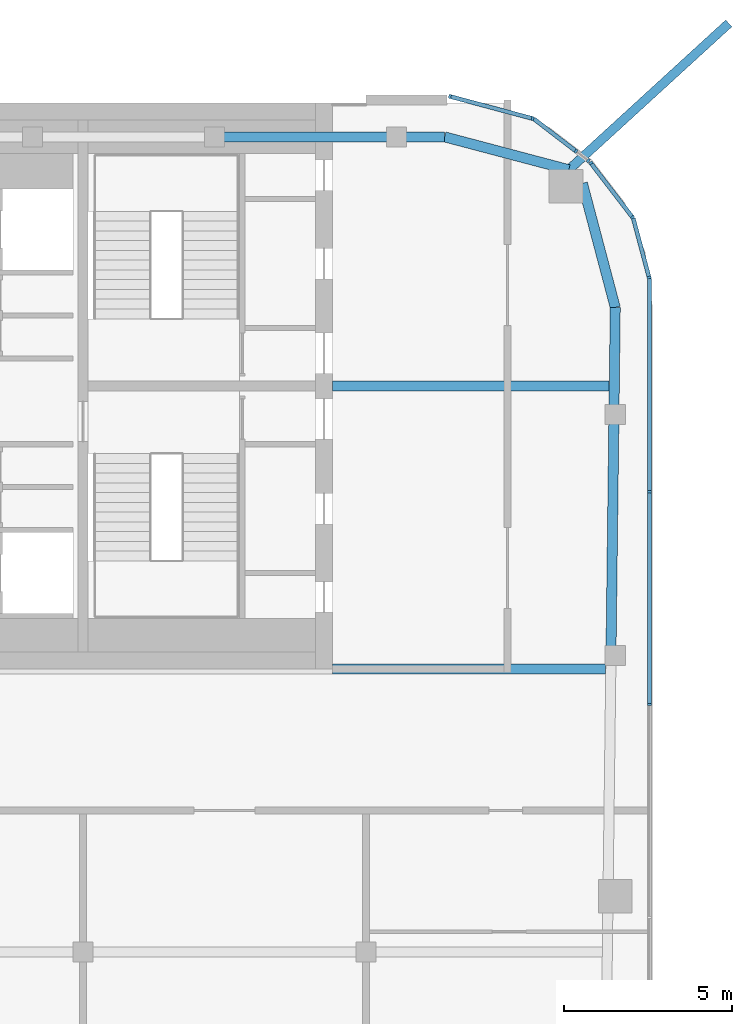
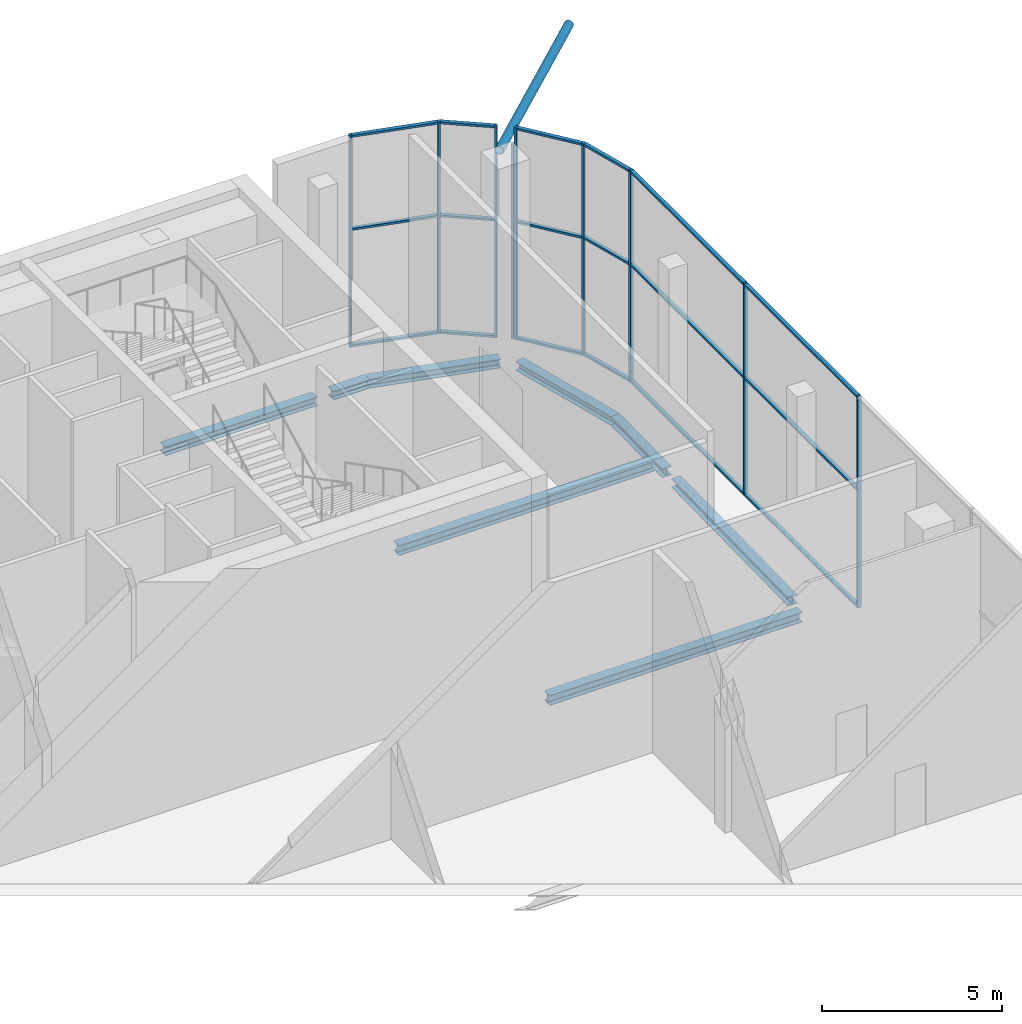
# One storey, part 11 of 23: 28 members, 8 beams, 6 elements without a shape of their own.
"""IFC4 building model written with IfcOpenShell, lengths in metres."""

from ifc_helpers import new_model, si_unit, direction, frame, origin, origin_2d, place, context, subcontext, project, spatial, rectangle, hollow_circle, i_section, extrude, material, layer, layer_set, material_profile, profile_set, type_object, element, aggregate, save


model = new_model("IFC4")

# Units and contexts
model_context = context("Model", 3, precision=1e-05, world=origin(), true_north=direction((0.0, 1.0)))
body_context = subcontext(model_context, "Body", "Model", "MODEL_VIEW")
ifc_project = project(units=[si_unit("LENGTHUNIT", "METRE"), si_unit("AREAUNIT", "SQUARE_METRE"), si_unit("VOLUMEUNIT", "CUBIC_METRE"), si_unit("PLANEANGLEUNIT", "RADIAN"), si_unit("MASSUNIT", "GRAM", prefix="KILO")], contexts=[model_context])

# Site, building, storey
site_placement = place(None, origin())
site = spatial("IfcSite", under=ifc_project, at=site_placement, CompositionType="ELEMENT")
building_placement = place(site_placement, origin())
building = spatial("IfcBuilding", under=site, at=building_placement, Name="Marenta Gate Hotel Tower", CompositionType="ELEMENT")
storey_placement = place(building_placement, frame((0.0, 0.0, 288.5)))
storey = spatial("IfcBuildingStorey", under=building, at=storey_placement, Name="L66", CompositionType="ELEMENT", Elevation=288.5)

# Beams
ifc_material_1 = material(Name="Steel S355", Category="steel")
ifc_material_profile_1 = material_profile(ifc_material_1, i_section(OverallWidth=0.300048828125, OverallDepth=0.300048828125, WebThickness=0.010986328125, FlangeThickness=0.01904296875, FilletRadius=0.027099609375, at=origin_2d()), Name="HEB 300")
ifc_profile_set_1 = profile_set([ifc_material_profile_1], Name="Steel S355")
beam_type_1 = type_object("IfcBeamType", Name="Edge beam HEB 300", PredefinedType="SPANDREL", material=ifc_profile_set_1)
beam_1_placement = place(storey_placement, frame((8.364013671875, 15.800048828125, -0.409912109375), z_axis=(1.0, 0.0, 0.0), x_axis=(0.0, 1.0, 0.0)))
element("IfcBeam", 1, at=beam_1_placement, inside=storey, type_object=beam_type_1, Name="L66-EB-18", PredefinedType="SPANDREL", context=body_context, shape_type="SweptSolid", body=[
    extrude(i_section(OverallWidth=0.300048828125, OverallDepth=0.300048828125, WebThickness=0.010986328125, FlangeThickness=0.01904296875, FilletRadius=0.027099609375, at=origin_2d()), origin(), (0.0, 0.0, 1.0), 4.8828125),
])
beam_2_placement = place(storey_placement, frame((13.766845703125, 15.800048828125, -0.409912109375), z_axis=(1.0, 0.0, 0.0), x_axis=(0.0, 1.0, 0.0)))
element("IfcBeam", 2, at=beam_2_placement, inside=storey, type_object=beam_type_1, Name="L66-EB-19", PredefinedType="SPANDREL", context=body_context, shape_type="SweptSolid", body=[
    extrude(i_section(OverallWidth=0.300048828125, OverallDepth=0.300048828125, WebThickness=0.010986328125, FlangeThickness=0.01904296875, FilletRadius=0.027099609375, at=origin_2d()), origin(), (0.0, 0.0, 1.0), 1.167724609375),
])
beam_3_placement = place(storey_placement, frame((14.9345703125, 15.800048828125, -0.409912109375), z_axis=(0.966756923821, -0.25569718466, 0.0), x_axis=(0.25569718466, 0.966756923821, 0.0)))
element("IfcBeam", 3, at=beam_3_placement, inside=storey, type_object=beam_type_1, Name="L66-EB-20", PredefinedType="SPANDREL", context=body_context, shape_type="SweptSolid", body=[
    extrude(i_section(OverallWidth=0.300048828125, OverallDepth=0.300048828125, WebThickness=0.010986328125, FlangeThickness=0.01904296875, FilletRadius=0.027099609375, at=origin_2d()), origin(), (0.0, 0.0, 1.0), 3.8125),
])
beam_4_placement = place(storey_placement, frame((19.025390625, 14.42041015625, -0.409912109375), z_axis=(0.25562150813, -0.96677693631, 0.0), x_axis=(0.96677693631, 0.25562150813, 0.0)))
element("IfcBeam", 4, at=beam_4_placement, inside=storey, type_object=beam_type_1, Name="L66-EB-21", PredefinedType="SPANDREL", context=body_context, shape_type="SweptSolid", body=[
    extrude(i_section(OverallWidth=0.300048828125, OverallDepth=0.300048828125, WebThickness=0.010986328125, FlangeThickness=0.01904296875, FilletRadius=0.027099609375, at=origin_2d()), origin(), (0.0, 0.0, 1.0), 3.812744140625),
])
beam_5_placement = place(storey_placement, frame((20.0, 10.734375, -0.409912109375), z_axis=(-0.012381915536, -0.999923341146, 0.0), x_axis=(0.999923341146, -0.012381915536, 0.0)))
element("IfcBeam", 5, at=beam_5_placement, inside=storey, type_object=beam_type_1, Name="L66-EB-22", PredefinedType="SPANDREL", context=body_context, shape_type="SweptSolid", body=[
    extrude(i_section(OverallWidth=0.300048828125, OverallDepth=0.300048828125, WebThickness=0.010986328125, FlangeThickness=0.01904296875, FilletRadius=0.027099609375, at=origin_2d()), origin(), (0.0, 0.0, 1.0), 2.918212890625),
])
beam_6_placement = place(storey_placement, frame((19.95751953125, 7.29638671875, -0.409912109375), z_axis=(-0.012328838388, -0.999923996984, 0.0), x_axis=(0.999923996984, -0.012328838388, 0.0)))
element("IfcBeam", 6, at=beam_6_placement, inside=storey, type_object=beam_type_1, Name="L66-EB-23", PredefinedType="SPANDREL", context=body_context, shape_type="SweptSolid", body=[
    extrude(i_section(OverallWidth=0.300048828125, OverallDepth=0.300048828125, WebThickness=0.010986328125, FlangeThickness=0.01904296875, FilletRadius=0.027099609375, at=origin_2d()), origin(), (0.0, 0.0, 1.0), 6.6337890625),
])

# Member
ifc_material_2 = material(Name="Steel S355J2W", Category="steel")
ifc_material_profile_2 = material_profile(ifc_material_2, hollow_circle(Radius=0.136474609375, WallThickness=0.012451171875, at=origin_2d()), Name="CHS 273x12.5")
ifc_profile_set_2 = profile_set([ifc_material_profile_2], Name="Steel S355J2W")
member_type_1 = type_object("IfcMemberType", Name="Floor tie CHS 273x12.5", PredefinedType="STRUT", material=ifc_profile_set_2)
member_1_placement = place(storey_placement, frame((23.3701171875, 19.169921875, 6.739990234375), z_axis=(-0.73786132876, -0.674952338703, 0.0), x_axis=(0.674952338703, -0.73786132876, 0.0)))
element("IfcMember", 7, at=member_1_placement, inside=storey, type_object=member_type_1, Name="L66-DR-1", PredefinedType="STRUT", context=body_context, shape_type="SweptSolid", body=[
    extrude(hollow_circle(Radius=0.136474609375, WallThickness=0.012451171875, at=origin_2d()), origin(), (0.0, 0.0, 1.0), 6.4306640625),
])

# Beams
ifc_material_3 = material(Name="Steel S355", Category="steel")
ifc_material_profile_3 = material_profile(ifc_material_3, i_section(OverallWidth=0.300048828125, OverallDepth=0.340087890625, WebThickness=0.011962890625, FlangeThickness=0.021484375, FilletRadius=0.027099609375, at=origin_2d()), Name="HEB 340")
ifc_profile_set_3 = profile_set([ifc_material_profile_3], Name="Steel S355")
beam_type_2 = type_object("IfcBeamType", Name="Girder HEB 340", PredefinedType="BEAM", material=ifc_profile_set_3)
beam_7_placement = place(storey_placement, frame((11.60009765625, 0.0, -0.429931640625), z_axis=(1.0, 0.0, 0.0), x_axis=(0.0, 1.0, 0.0)))
element("IfcBeam", 8, at=beam_7_placement, inside=storey, type_object=beam_type_2, Name="L66-GD-18", PredefinedType="BEAM", context=body_context, shape_type="SweptSolid", body=[
    extrude(i_section(OverallWidth=0.300048828125, OverallDepth=0.340087890625, WebThickness=0.011962890625, FlangeThickness=0.021484375, FilletRadius=0.027099609375, at=origin_2d()), origin(), (0.0, 0.0, 1.0), 8.117431640625),
])
beam_8_placement = place(storey_placement, frame((11.60009765625, 8.39990234375, -0.429931640625), z_axis=(1.0, 0.0, 0.0), x_axis=(0.0, 1.0, 0.0)))
element("IfcBeam", 9, at=beam_8_placement, inside=storey, type_object=beam_type_2, Name="L66-GD-20", PredefinedType="BEAM", context=body_context, shape_type="SweptSolid", body=[
    extrude(i_section(OverallWidth=0.300048828125, OverallDepth=0.340087890625, WebThickness=0.011962890625, FlangeThickness=0.021484375, FilletRadius=0.027099609375, at=origin_2d()), origin(), (0.0, 0.0, 1.0), 8.22119140625),
])

# Curtain wall, members
ifc_material_4 = material(Name="Tinted insulated glass in bronze anodised frame", Category="glass")
ifc_layer = layer(ifc_material_4, 0.1201171875)
ifc_layer_set = layer_set([ifc_layer], Name="Tinted insulated glass in bronze anodised frame")
curtain_wall_type = type_object("IfcCurtainWallType", Name="Sky restaurant glazing CW4", PredefinedType="NOTDEFINED", material=ifc_layer_set)
curtain_wall_1_placement = place(storey_placement, origin())
curtain_wall_1 = element("IfcCurtainWall", 10, at=curtain_wall_1_placement, inside=storey, type_object=curtain_wall_type, Name="CW4 run G19", PredefinedType="NOTDEFINED")
ifc_material_5 = material(Name="Bronze anodised aluminium", Category="aluminium")
ifc_material_profile_4 = material_profile(ifc_material_5, rectangle(XDim=0.1201171875, YDim=0.070068359375, at=origin_2d()), Name="Mullion CW4 70x120 bronze anodised aluminium")
ifc_profile_set_4 = profile_set([ifc_material_profile_4], Name="Bronze anodised aluminium")
member_type_2 = type_object("IfcMemberType", Name="Mullion CW4 70x120 bronze anodised aluminium", PredefinedType="MULLION", material=ifc_profile_set_4)
member_2_placement = place(storey_placement, frame((21.013916015625, -1.053466796875, 0.0), z_axis=(0.0, 0.0, 1.0), x_axis=(-1.0, 0.0, 0.0)))
member_2 = element("IfcMember", 11, at=member_2_placement, type_object=member_type_2, Name="CW4 mullion 5", PredefinedType="MULLION", context=body_context, shape_type="SweptSolid", body=[
    extrude(rectangle(XDim=0.1201171875, YDim=0.070068359375, at=origin_2d()), origin(), (0.0, 0.0, 1.0), 7.199951171875),
])
member_3_placement = place(storey_placement, frame((21.013916015625, 5.269287109375, 0.0), z_axis=(0.0, 0.0, 1.0), x_axis=(-1.0, 0.0, 0.0)))
member_3 = element("IfcMember", 12, at=member_3_placement, type_object=member_type_2, Name="CW4 mullion 6", PredefinedType="MULLION", context=body_context, shape_type="SweptSolid", body=[
    extrude(rectangle(XDim=0.1201171875, YDim=0.070068359375, at=origin_2d()), origin(), (0.0, 0.0, 1.0), 7.199951171875),
])

# Curtain wall, member
curtain_wall_2_placement = place(storey_placement, origin())
curtain_wall_2 = element("IfcCurtainWall", 13, at=curtain_wall_2_placement, inside=storey, type_object=curtain_wall_type, Name="CW4 run G20", PredefinedType="NOTDEFINED")
member_4_placement = place(storey_placement, frame((21.0048828125, 11.625732421875, 0.0), z_axis=(0.0, 0.0, 1.0), x_axis=(-0.965924453932, -0.258824166754, 0.0)))
member_4 = element("IfcMember", 14, at=member_4_placement, type_object=member_type_2, Name="CW4 mullion 1", PredefinedType="MULLION", context=body_context, shape_type="SweptSolid", body=[
    extrude(rectangle(XDim=0.1201171875, YDim=0.070068359375, at=origin_2d()), origin(), (0.0, 0.0, 1.0), 7.199951171875),
])

# Curtain wall, members
curtain_wall_3_placement = place(storey_placement, origin())
curtain_wall_3 = element("IfcCurtainWall", 15, at=curtain_wall_3_placement, inside=storey, type_object=curtain_wall_type, Name="CW4 run G21", PredefinedType="NOTDEFINED")
member_5_placement = place(storey_placement, frame((20.512939453125, 13.41015625, 0.0), z_axis=(0.0, 0.0, 1.0), x_axis=(-0.793333335233, -0.608787499222, 0.0)))
member_5 = element("IfcMember", 16, at=member_5_placement, type_object=member_type_2, Name="CW4 mullion 1", PredefinedType="MULLION", context=body_context, shape_type="SweptSolid", body=[
    extrude(rectangle(XDim=0.1201171875, YDim=0.070068359375, at=origin_2d()), origin(), (0.0, 0.0, 1.0), 7.199951171875),
])
member_6_placement = place(storey_placement, frame((19.27392578125, 15.02490234375, 0.0), z_axis=(0.0, 0.0, 1.0), x_axis=(-0.793333335233, -0.608787499222, 0.0)))
member_6 = element("IfcMember", 17, at=member_6_placement, type_object=member_type_2, Name="CW4 mullion 2", PredefinedType="MULLION", context=body_context, shape_type="SweptSolid", body=[
    extrude(rectangle(XDim=0.1201171875, YDim=0.070068359375, at=origin_2d()), origin(), (0.0, 0.0, 1.0), 7.199951171875),
])

# Curtain wall, member
curtain_wall_4_placement = place(storey_placement, origin())
curtain_wall_4 = element("IfcCurtainWall", 18, at=curtain_wall_4_placement, inside=storey, type_object=curtain_wall_type, Name="CW4 run G22", PredefinedType="NOTDEFINED")
member_7_placement = place(storey_placement, frame((19.19873046875, 15.093994140625, 0.0), z_axis=(0.0, 0.0, 1.0), x_axis=(-0.608796517278, -0.793326414883, 0.0)))
member_7 = element("IfcMember", 19, at=member_7_placement, type_object=member_type_2, Name="CW4 mullion 1", PredefinedType="MULLION", context=body_context, shape_type="SweptSolid", body=[
    extrude(rectangle(XDim=0.1201171875, YDim=0.070068359375, at=origin_2d()), origin(), (0.0, 0.0, 1.0), 6.6005859375),
])
aggregate(curtain_wall_4, [member_7])

curtain_wall_5_placement = place(storey_placement, origin())
curtain_wall_5 = element("IfcCurtainWall", 20, at=curtain_wall_5_placement, inside=storey, type_object=curtain_wall_type, Name="CW4 run G23", PredefinedType="NOTDEFINED")
member_8_placement = place(storey_placement, frame((18.833740234375, 15.3740234375, 0.0), z_axis=(0.0, 0.0, 1.0), x_axis=(-0.608796089473, -0.793326743179, 0.0)))
member_8 = element("IfcMember", 21, at=member_8_placement, type_object=member_type_2, Name="CW4 mullion 1", PredefinedType="MULLION", context=body_context, shape_type="SweptSolid", body=[
    extrude(rectangle(XDim=0.1201171875, YDim=0.070068359375, at=origin_2d()), origin(), (0.0, 0.0, 1.0), 7.199951171875),
])

# Curtain wall, members
curtain_wall_6_placement = place(storey_placement, origin())
curtain_wall_6 = element("IfcCurtainWall", 22, at=curtain_wall_6_placement, inside=storey, type_object=curtain_wall_type, Name="CW4 run G24", PredefinedType="NOTDEFINED")
member_9_placement = place(storey_placement, frame((17.548583984375, 16.34326171875, 0.0), z_axis=(0.0, 0.0, 1.0), x_axis=(-0.258804895175, -0.96592961764, 0.0)))
member_9 = element("IfcMember", 23, at=member_9_placement, type_object=member_type_2, Name="CW4 mullion 1", PredefinedType="MULLION", context=body_context, shape_type="SweptSolid", body=[
    extrude(rectangle(XDim=0.1201171875, YDim=0.070068359375, at=origin_2d()), origin(), (0.0, 0.0, 1.0), 7.199951171875),
])
member_10_placement = place(storey_placement, frame((15.09033203125, 17.001953125, 0.0), z_axis=(0.0, 0.0, 1.0), x_axis=(-0.258804895175, -0.96592961764, 0.0)))
member_10 = element("IfcMember", 24, at=member_10_placement, type_object=member_type_2, Name="CW4 mullion 2", PredefinedType="MULLION", context=body_context, shape_type="SweptSolid", body=[
    extrude(rectangle(XDim=0.1201171875, YDim=0.070068359375, at=origin_2d()), origin(), (0.0, 0.0, 1.0), 7.199951171875),
])

# Member
ifc_material_6 = material(Name="Bronze anodised aluminium", Category="aluminium")
ifc_material_profile_5 = material_profile(ifc_material_6, rectangle(XDim=0.1201171875, YDim=0.070068359375, at=origin_2d()), Name="Transom CW4 70x120 bronze anodised aluminium")
ifc_profile_set_5 = profile_set([ifc_material_profile_5], Name="Bronze anodised aluminium")
member_type_3 = type_object("IfcMemberType", Name="Transom CW4 70x120 bronze anodised aluminium", PredefinedType="USERDEFINED", material=ifc_profile_set_5)
member_11_placement = place(storey_placement, frame((21.013916015625, -1.018310546875, 0.034912109375), z_axis=(0.0, 1.0, 0.0), x_axis=(-1.0, 0.0, 0.0)))
member_11 = element("IfcMember", 25, at=member_11_placement, type_object=member_type_3, Name="CW4 transom 5.1", ObjectType="TRANSOM", PredefinedType="USERDEFINED", context=body_context, shape_type="SweptSolid", body=[
    extrude(rectangle(XDim=0.1201171875, YDim=0.070068359375, at=origin_2d()), origin(), (0.0, 0.0, 1.0), 6.252685546875),
])

member_12_placement = place(storey_placement, frame((21.013916015625, -1.018310546875, 4.0), z_axis=(0.0, 1.0, 0.0), x_axis=(-1.0, 0.0, 0.0)))
member_12 = element("IfcMember", 26, at=member_12_placement, type_object=member_type_3, Name="CW4 transom 5.2", ObjectType="TRANSOM", PredefinedType="USERDEFINED", context=body_context, shape_type="SweptSolid", body=[
    extrude(rectangle(XDim=0.1201171875, YDim=0.070068359375, at=origin_2d()), origin(), (0.0, 0.0, 1.0), 6.252685546875),
])

member_13_placement = place(storey_placement, frame((21.013916015625, -1.018310546875, 7.1650390625), z_axis=(0.0, 1.0, 0.0), x_axis=(-1.0, 0.0, 0.0)))
member_13 = element("IfcMember", 27, at=member_13_placement, type_object=member_type_3, Name="CW4 transom 5.3", ObjectType="TRANSOM", PredefinedType="USERDEFINED", context=body_context, shape_type="SweptSolid", body=[
    extrude(rectangle(XDim=0.1201171875, YDim=0.070068359375, at=origin_2d()), origin(), (0.0, 0.0, 1.0), 6.252685546875),
])

member_14_placement = place(storey_placement, frame((21.013916015625, 5.30419921875, 0.034912109375), z_axis=(0.0, 1.0, 0.0), x_axis=(-1.0, 0.0, 0.0)))
member_14 = element("IfcMember", 28, at=member_14_placement, type_object=member_type_3, Name="CW4 transom 6.1", ObjectType="TRANSOM", PredefinedType="USERDEFINED", context=body_context, shape_type="SweptSolid", body=[
    extrude(rectangle(XDim=0.1201171875, YDim=0.070068359375, at=origin_2d()), origin(), (0.0, 0.0, 1.0), 6.28759765625),
])

member_15_placement = place(storey_placement, frame((21.013916015625, 5.30419921875, 4.0), z_axis=(0.0, 1.0, 0.0), x_axis=(-1.0, 0.0, 0.0)))
member_15 = element("IfcMember", 29, at=member_15_placement, type_object=member_type_3, Name="CW4 transom 6.2", ObjectType="TRANSOM", PredefinedType="USERDEFINED", context=body_context, shape_type="SweptSolid", body=[
    extrude(rectangle(XDim=0.1201171875, YDim=0.070068359375, at=origin_2d()), origin(), (0.0, 0.0, 1.0), 6.28759765625),
])

member_16_placement = place(storey_placement, frame((21.013916015625, 5.30419921875, 7.1650390625), z_axis=(0.0, 1.0, 0.0), x_axis=(-1.0, 0.0, 0.0)))
member_16 = element("IfcMember", 30, at=member_16_placement, type_object=member_type_3, Name="CW4 transom 6.3", ObjectType="TRANSOM", PredefinedType="USERDEFINED", context=body_context, shape_type="SweptSolid", body=[
    extrude(rectangle(XDim=0.1201171875, YDim=0.070068359375, at=origin_2d()), origin(), (0.0, 0.0, 1.0), 6.28759765625),
])

aggregate(curtain_wall_1, [member_2, member_3, member_11, member_12, member_13, member_14, member_15, member_16])

member_17_placement = place(storey_placement, frame((20.995849609375, 11.659423828125, 0.034912109375), z_axis=(-0.258795371513, 0.965932169297, 0.0), x_axis=(-0.965932169297, -0.258795371513, 0.0)))
member_17 = element("IfcMember", 31, at=member_17_placement, type_object=member_type_3, Name="CW4 transom 1.1", ObjectType="TRANSOM", PredefinedType="USERDEFINED", context=body_context, shape_type="SweptSolid", body=[
    extrude(rectangle(XDim=0.1201171875, YDim=0.070068359375, at=origin_2d()), origin(), (0.0, 0.0, 1.0), 1.783935546875),
])

member_18_placement = place(storey_placement, frame((20.995849609375, 11.659423828125, 4.0), z_axis=(-0.258795371513, 0.965932169297, 0.0), x_axis=(-0.965932169297, -0.258795371513, 0.0)))
member_18 = element("IfcMember", 32, at=member_18_placement, type_object=member_type_3, Name="CW4 transom 1.2", ObjectType="TRANSOM", PredefinedType="USERDEFINED", context=body_context, shape_type="SweptSolid", body=[
    extrude(rectangle(XDim=0.1201171875, YDim=0.070068359375, at=origin_2d()), origin(), (0.0, 0.0, 1.0), 1.783935546875),
])

member_19_placement = place(storey_placement, frame((20.995849609375, 11.659423828125, 7.1650390625), z_axis=(-0.258795371513, 0.965932169297, 0.0), x_axis=(-0.965932169297, -0.258795371513, 0.0)))
member_19 = element("IfcMember", 33, at=member_19_placement, type_object=member_type_3, Name="CW4 transom 1.3", ObjectType="TRANSOM", PredefinedType="USERDEFINED", context=body_context, shape_type="SweptSolid", body=[
    extrude(rectangle(XDim=0.1201171875, YDim=0.070068359375, at=origin_2d()), origin(), (0.0, 0.0, 1.0), 1.783935546875),
])

aggregate(curtain_wall_2, [member_4, member_17, member_18, member_19])

member_20_placement = place(storey_placement, frame((20.49169921875, 13.43798828125, 0.034912109375), z_axis=(-0.608827875782, 0.793302349468, 0.0), x_axis=(-0.793302349468, -0.608827875782, 0.0)))
member_20 = element("IfcMember", 34, at=member_20_placement, type_object=member_type_3, Name="CW4 transom 1.1", ObjectType="TRANSOM", PredefinedType="USERDEFINED", context=body_context, shape_type="SweptSolid", body=[
    extrude(rectangle(XDim=0.1201171875, YDim=0.070068359375, at=origin_2d()), origin(), (0.0, 0.0, 1.0), 1.96533203125),
])

member_21_placement = place(storey_placement, frame((20.49169921875, 13.43798828125, 4.0), z_axis=(-0.608827875782, 0.793302349468, 0.0), x_axis=(-0.793302349468, -0.608827875782, 0.0)))
member_21 = element("IfcMember", 35, at=member_21_placement, type_object=member_type_3, Name="CW4 transom 1.2", ObjectType="TRANSOM", PredefinedType="USERDEFINED", context=body_context, shape_type="SweptSolid", body=[
    extrude(rectangle(XDim=0.1201171875, YDim=0.070068359375, at=origin_2d()), origin(), (0.0, 0.0, 1.0), 1.96533203125),
])

member_22_placement = place(storey_placement, frame((20.49169921875, 13.43798828125, 7.1650390625), z_axis=(-0.608827875782, 0.793302349468, 0.0), x_axis=(-0.793302349468, -0.608827875782, 0.0)))
member_22 = element("IfcMember", 36, at=member_22_placement, type_object=member_type_3, Name="CW4 transom 1.3", ObjectType="TRANSOM", PredefinedType="USERDEFINED", context=body_context, shape_type="SweptSolid", body=[
    extrude(rectangle(XDim=0.1201171875, YDim=0.070068359375, at=origin_2d()), origin(), (0.0, 0.0, 1.0), 1.96533203125),
])

aggregate(curtain_wall_3, [member_5, member_6, member_20, member_21, member_22])

member_23_placement = place(storey_placement, frame((18.805908203125, 15.395263671875, 0.034912109375), z_axis=(-0.793282653244, 0.608853539089, 0.0), x_axis=(-0.608853539089, -0.793282653244, 0.0)))
member_23 = element("IfcMember", 37, at=member_23_placement, type_object=member_type_3, Name="CW4 transom 1.1", ObjectType="TRANSOM", PredefinedType="USERDEFINED", context=body_context, shape_type="SweptSolid", body=[
    extrude(rectangle(XDim=0.1201171875, YDim=0.070068359375, at=origin_2d()), origin(), (0.0, 0.0, 1.0), 1.542236328125),
])

member_24_placement = place(storey_placement, frame((18.805908203125, 15.395263671875, 4.0), z_axis=(-0.793282653244, 0.608853539089, 0.0), x_axis=(-0.608853539089, -0.793282653244, 0.0)))
member_24 = element("IfcMember", 38, at=member_24_placement, type_object=member_type_3, Name="CW4 transom 1.2", ObjectType="TRANSOM", PredefinedType="USERDEFINED", context=body_context, shape_type="SweptSolid", body=[
    extrude(rectangle(XDim=0.1201171875, YDim=0.070068359375, at=origin_2d()), origin(), (0.0, 0.0, 1.0), 1.542236328125),
])

member_25_placement = place(storey_placement, frame((18.805908203125, 15.395263671875, 7.1650390625), z_axis=(-0.793282653244, 0.608853539089, 0.0), x_axis=(-0.608853539089, -0.793282653244, 0.0)))
member_25 = element("IfcMember", 39, at=member_25_placement, type_object=member_type_3, Name="CW4 transom 1.3", ObjectType="TRANSOM", PredefinedType="USERDEFINED", context=body_context, shape_type="SweptSolid", body=[
    extrude(rectangle(XDim=0.1201171875, YDim=0.070068359375, at=origin_2d()), origin(), (0.0, 0.0, 1.0), 1.542236328125),
])

aggregate(curtain_wall_5, [member_8, member_23, member_24, member_25])

member_26_placement = place(storey_placement, frame((17.514892578125, 16.352294921875, 0.034912109375), z_axis=(-0.965926478296, 0.258816611768, 0.0), x_axis=(-0.258816611768, -0.965926478296, 0.0)))
member_26 = element("IfcMember", 40, at=member_26_placement, type_object=member_type_3, Name="CW4 transom 1.1", ObjectType="TRANSOM", PredefinedType="USERDEFINED", context=body_context, shape_type="SweptSolid", body=[
    extrude(rectangle(XDim=0.1201171875, YDim=0.070068359375, at=origin_2d()), origin(), (0.0, 0.0, 1.0), 2.47509765625),
])

member_27_placement = place(storey_placement, frame((17.514892578125, 16.352294921875, 4.0), z_axis=(-0.965926478296, 0.258816611768, 0.0), x_axis=(-0.258816611768, -0.965926478296, 0.0)))
member_27 = element("IfcMember", 41, at=member_27_placement, type_object=member_type_3, Name="CW4 transom 1.2", ObjectType="TRANSOM", PredefinedType="USERDEFINED", context=body_context, shape_type="SweptSolid", body=[
    extrude(rectangle(XDim=0.1201171875, YDim=0.070068359375, at=origin_2d()), origin(), (0.0, 0.0, 1.0), 2.47509765625),
])

member_28_placement = place(storey_placement, frame((17.514892578125, 16.352294921875, 7.1650390625), z_axis=(-0.965926478296, 0.258816611768, 0.0), x_axis=(-0.258816611768, -0.965926478296, 0.0)))
member_28 = element("IfcMember", 42, at=member_28_placement, type_object=member_type_3, Name="CW4 transom 1.3", ObjectType="TRANSOM", PredefinedType="USERDEFINED", context=body_context, shape_type="SweptSolid", body=[
    extrude(rectangle(XDim=0.1201171875, YDim=0.070068359375, at=origin_2d()), origin(), (0.0, 0.0, 1.0), 2.47509765625),
])

aggregate(curtain_wall_6, [member_9, member_10, member_26, member_27, member_28])

save(model, "model.ifc")
